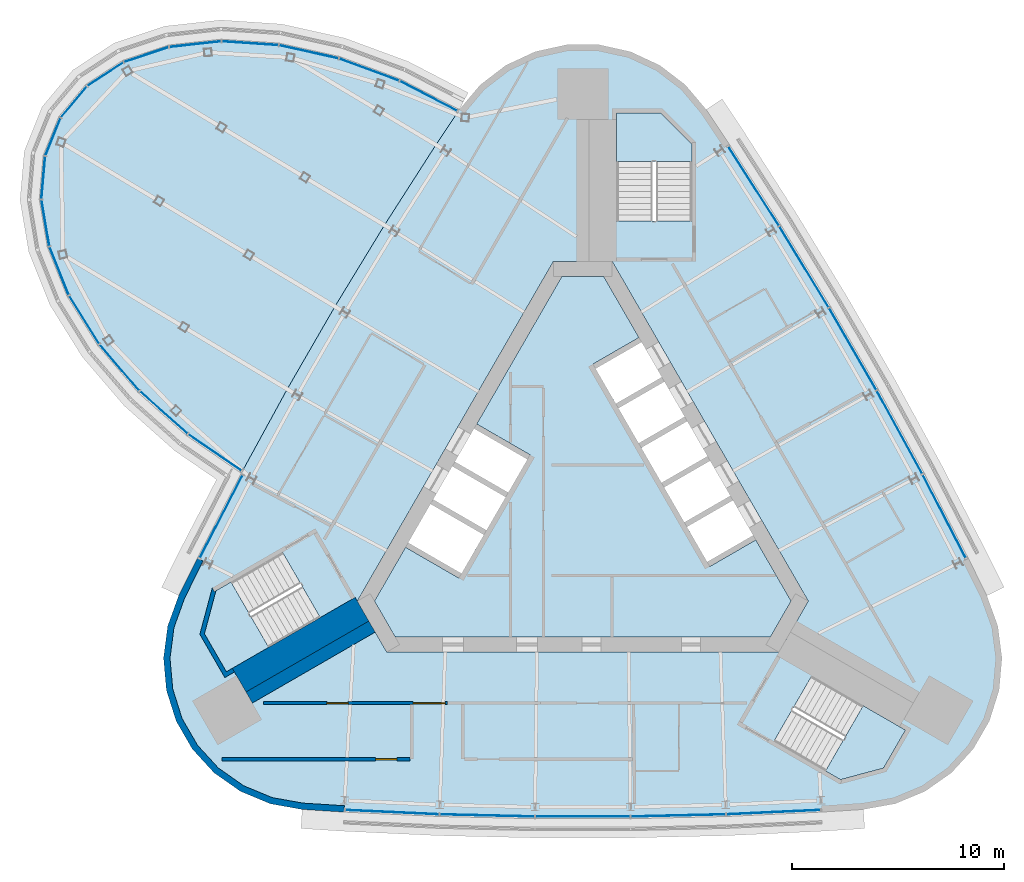
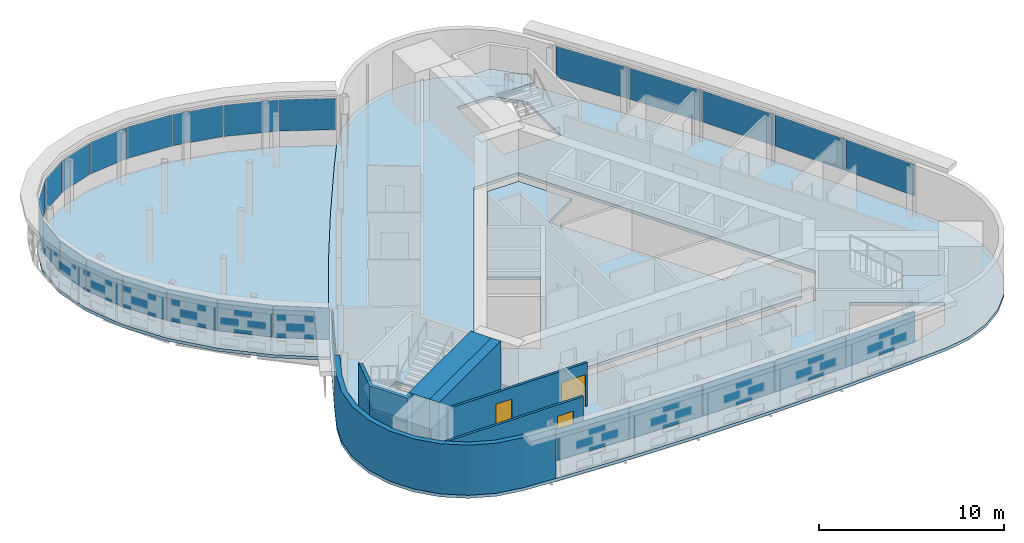
# One storey, part 8 of 13: 27 plates, 6 slabs, 6 walls, 3 doors, 3 openings, 7 elements without a shape of their own.
"""IFC4 building model written with IfcOpenShell, lengths in metres."""

from ifc_helpers import new_model, si_unit, direction, frame, frame_2d, origin, origin_2d, place, context, subcontext, project, spatial, polyline, rectangle, outline, extrude, material, layer, layer_set, type_object, element, fill, aggregate, save


model = new_model("IFC4")

# Units and contexts
model_context = context("Model", 3, precision=1e-05, world=origin(), true_north=direction((0.0, 1.0)))
body_context = subcontext(model_context, "Body", "Model", "MODEL_VIEW")
ifc_project = project(units=[si_unit("LENGTHUNIT", "METRE"), si_unit("AREAUNIT", "SQUARE_METRE"), si_unit("VOLUMEUNIT", "CUBIC_METRE"), si_unit("PLANEANGLEUNIT", "RADIAN"), si_unit("MASSUNIT", "GRAM", prefix="KILO")], contexts=[model_context])

# Site, building, storey
site_placement = place(None, origin())
site = spatial("IfcSite", under=ifc_project, at=site_placement, CompositionType="ELEMENT")
building_placement = place(site_placement, origin())
building = spatial("IfcBuilding", under=site, at=building_placement, Name="Noor Cloister Tower", CompositionType="ELEMENT")
storey_placement = place(building_placement, frame((0.0, 0.0, 267.0)))
storey = spatial("IfcBuildingStorey", under=building, at=storey_placement, Name="L68", CompositionType="ELEMENT", Elevation=267.0)

# Slabs
ifc_material_1 = material(Name="Concrete C40/50", Category="concrete")
ifc_layer_1 = layer(ifc_material_1, 0.199951171875)
ifc_layer_set_1 = layer_set([ifc_layer_1], Name="Core floor slab 200 C40/50")
slab_type_1 = type_object("IfcSlabType", Name="Core floor slab 200 C40/50", PredefinedType="FLOOR", material=ifc_layer_set_1)
slab_1_placement = place(storey_placement, frame((0.0, 0.0, -0.199951171875)))
element("IfcSlab", 1, at=slab_1_placement, inside=storey, type_object=slab_type_1, Name="Core floor L68", PredefinedType="FLOOR", context=body_context, shape_type="SweptSolid", body=[
    extrude(outline(polyline([(2.643798828125, 7.877197265625), (0.9814453125, 10.75634765625), (-0.9814453125, 10.75634765625), (-4.993896484375, 3.806884765625), (-2.482421875, 2.35693359375), (-5.832275390625, -3.4453125), (-8.34375, -1.995361328125), (-9.80615234375, -4.5283203125), (-8.82470703125, -6.228271484375), (8.82470703125, -6.228271484375), (9.80615234375, -4.5283203125), (8.143798828125, -1.64892578125), (5.978759765625, -2.89892578125), (0.478759765625, 6.627197265625), (2.643798828125, 7.877197265625)])), origin(), (0.0, 0.0, 1.0), 0.199951171875),
])
ifc_material_2 = material(Name="Concrete C40/50", Category="concrete")
ifc_layer_2 = layer(ifc_material_2, 0.199951171875)
ifc_layer_set_2 = layer_set([ifc_layer_2], Name="Floor slab 200 C40/50")
slab_type_2 = type_object("IfcSlabType", Name="Floor slab 200 C40/50", PredefinedType="FLOOR", material=ifc_layer_set_2)
slab_2_placement = place(storey_placement, frame((0.0, 0.0, -0.199951171875)))
element("IfcSlab", 2, at=slab_2_placement, inside=storey, type_object=slab_type_2, Name="Floor slab L68", PredefinedType="FLOOR", context=body_context, shape_type="SweptSolid", body=[
    extrude(outline(polyline([(5.809814453125, 18.609619140625), (4.830078125, 19.771484375), (3.62255859375, 20.69482421875), (2.244140625, 21.33544921875), (0.760009765625, 21.66357421875), (-0.760009765625, 21.66357421875), (-2.244140625, 21.33544921875), (-3.62255859375, 20.69482421875), (-4.830078125, 19.771484375), (-5.809814453125, 18.609619140625), (-6.9013671875, 16.967529296875), (-9.32958984375, 13.178955078125), (-11.669189453125, 9.335205078125), (-13.919189453125, 5.438232421875), (-16.078125, 1.489990234375), (-18.14501953125, -2.507080078125), (-19.021240234375, -4.2734375), (-19.53759765625, -5.702880859375), (-19.7333984375, -7.210205078125), (-19.59912109375, -8.724365234375), (-19.14111328125, -10.173583984375), (-18.381103515625, -11.489990234375), (-17.35498046875, -12.611083984375), (-16.11083984375, -13.484619140625), (-14.707763671875, -14.068603515625), (-13.21142578125, -14.336181640625), (-11.24365234375, -14.46044921875), (-6.74853515625, -14.669189453125), (-2.25, -14.7734375), (2.25, -14.7734375), (6.74853515625, -14.669189453125), (11.24365234375, -14.46044921875), (13.21142578125, -14.336181640625), (14.707763671875, -14.068603515625), (16.11083984375, -13.484619140625), (17.35498046875, -12.611083984375), (18.381103515625, -11.489990234375), (19.14111328125, -10.173583984375), (19.59912109375, -8.724365234375), (19.7333984375, -7.210205078125), (19.53759765625, -5.702880859375), (19.021240234375, -4.2734375), (18.14501953125, -2.507080078125), (16.078125, 1.489990234375), (13.919189453125, 5.438232421875), (11.669189453125, 9.335205078125), (9.32958984375, 13.178955078125), (6.9013671875, 16.967529296875), (5.809814453125, 18.609619140625)]), holes=[polyline([(8.999755859375, -11.126220703125), (12.131591796875, -12.934326171875), (14.1572265625, -12.3916015625), (15.19091796875, -10.601318359375), (10.774658203125, -8.0517578125), (8.999755859375, -11.126220703125)]), polyline([(-17.81005859375, -6.064697265625), (-16.776611328125, -7.85498046875), (-12.3603515625, -5.305419921875), (-14.13525390625, -2.23095703125), (-16.662841796875, -3.690185546875), (-17.267333984375, -4.039306640625), (-17.81005859375, -6.064697265625)]), polyline([(-10.6142578125, -4.5283203125), (-9.228759765625, -6.92822265625), (9.228759765625, -6.92822265625), (10.6142578125, -4.5283203125), (1.3857421875, 11.456298828125), (-1.3857421875, 11.456298828125), (-10.6142578125, -4.5283203125)]), polyline([(3.65283203125, 18.456298828125), (1.585693359375, 18.456298828125), (1.585693359375, 13.35693359375), (5.135498046875, 13.35693359375), (5.135498046875, 16.9736328125), (3.65283203125, 18.456298828125)])]), origin(), (0.0, 0.0, 1.0), 0.199951171875),
])

# Curtain wall, plate
ifc_material_3 = material(Name="Aluminium 6063-T6 anodised", Category="aluminium")
curtain_wall_type_1 = type_object("IfcCurtainWallType", Name="Ribbon curtain wall, upper tower CW5", PredefinedType="NOTDEFINED", material=ifc_material_3)
curtain_wall_1_placement = place(storey_placement, origin())
curtain_wall_1 = element("IfcCurtainWall", 3, at=curtain_wall_1_placement, inside=storey, type_object=curtain_wall_type_1, Name="CW5 L68 NW run 2", PredefinedType="NOTDEFINED")
ifc_material_4 = material(Name="Clear laminated glass 2 x 8 mm", Category="glass")
ifc_layer_3 = layer(ifc_material_4, 0.028076171875)
ifc_layer_set_3 = layer_set([ifc_layer_3], Name="Glass panel CW5")
plate_type_1 = type_object("IfcPlateType", Name="Glass panel CW5", PredefinedType="CURTAIN_PANEL", material=ifc_layer_set_3)
plate_1_placement = place(storey_placement, frame((-17.022705078125, -0.554443359375, 1.08984375), z_axis=(0.0, 0.0, 1.0), x_axis=(-0.459306247842, -0.888277980529, 0.0)))
plate_1 = element("IfcPlate", 4, at=plate_1_placement, type_object=plate_type_1, Name="CW5 glass panel 1", PredefinedType="CURTAIN_PANEL", context=body_context, shape_type="SweptSolid", body=[
    extrude(rectangle(XDim=4.3798828125, YDim=0.028076171875, at=origin_2d()), origin(), (0.0, 0.0, 1.0), 2.070068359375),
])
aggregate(curtain_wall_1, [plate_1])

# Curtain wall, plates
curtain_wall_2_placement = place(storey_placement, origin())
curtain_wall_2 = element("IfcCurtainWall", 5, at=curtain_wall_2_placement, inside=storey, type_object=curtain_wall_type_1, Name="CW5 L68 S run 3", PredefinedType="NOTDEFINED")
plate_2_placement = place(storey_placement, frame((-8.974609375, -14.465576171875, 1.08984375), z_axis=(0.0, 0.0, 1.0), x_axis=(0.998924420682, -0.046368111516, 0.0)))
plate_2 = element("IfcPlate", 6, at=plate_2_placement, type_object=plate_type_1, Name="CW5 glass panel 1", PredefinedType="CURTAIN_PANEL", context=body_context, shape_type="SweptSolid", body=[
    extrude(rectangle(XDim=4.413818359375, YDim=0.028076171875, at=origin_2d()), origin(), (0.0, 0.0, 1.0), 2.070068359375),
])
plate_3_placement = place(storey_placement, frame((-4.4970703125, -14.621337890625, 1.08984375), z_axis=(0.0, 0.0, 1.0), x_axis=(0.999731069009, -0.023190292346, 0.0)))
plate_3 = element("IfcPlate", 7, at=plate_3_placement, type_object=plate_type_1, Name="CW5 glass panel 2", PredefinedType="CURTAIN_PANEL", context=body_context, shape_type="SweptSolid", body=[
    extrude(rectangle(XDim=4.447509765625, YDim=0.028076171875, at=origin_2d()), origin(), (0.0, 0.0, 1.0), 2.070068359375),
])
plate_4_placement = place(storey_placement, frame((0.0, -14.673583984375, 1.08984375), z_axis=(0.0, 0.0, 1.0), x_axis=(1.0, 0.0, 0.0)))
plate_4 = element("IfcPlate", 8, at=plate_4_placement, type_object=plate_type_1, Name="CW5 glass panel 3", PredefinedType="CURTAIN_PANEL", context=body_context, shape_type="SweptSolid", body=[
    extrude(rectangle(XDim=4.447509765625, YDim=0.028076171875, at=origin_2d()), origin(), (0.0, 0.0, 1.0), 2.070068359375),
])
plate_5_placement = place(storey_placement, frame((4.4970703125, -14.621337890625, 1.08984375), z_axis=(0.0, 0.0, 1.0), x_axis=(0.999731069009, 0.023190292346, 0.0)))
plate_5 = element("IfcPlate", 9, at=plate_5_placement, type_object=plate_type_1, Name="CW5 glass panel 4", PredefinedType="CURTAIN_PANEL", context=body_context, shape_type="SweptSolid", body=[
    extrude(rectangle(XDim=4.447509765625, YDim=0.028076171875, at=origin_2d()), origin(), (0.0, 0.0, 1.0), 2.070068359375),
])
plate_6_placement = place(storey_placement, frame((8.974609375, -14.465576171875, 1.08984375), z_axis=(0.0, 0.0, 1.0), x_axis=(0.998924420682, 0.046368111516, 0.0)))
plate_6 = element("IfcPlate", 10, at=plate_6_placement, type_object=plate_type_1, Name="CW5 glass panel 5", PredefinedType="CURTAIN_PANEL", context=body_context, shape_type="SweptSolid", body=[
    extrude(rectangle(XDim=4.413818359375, YDim=0.028076171875, at=origin_2d()), origin(), (0.0, 0.0, 1.0), 2.070068359375),
])
aggregate(curtain_wall_2, [plate_2, plate_3, plate_4, plate_5, plate_6])

curtain_wall_3_placement = place(storey_placement, origin())
curtain_wall_3 = element("IfcCurtainWall", 11, at=curtain_wall_3_placement, inside=storey, type_object=curtain_wall_type_1, Name="CW5 L68 NE run 4", PredefinedType="NOTDEFINED")
plate_7_placement = place(storey_placement, frame((17.014892578125, -0.539306640625, 1.08984375), z_axis=(0.0, 0.0, 1.0), x_axis=(-0.459306247842, 0.888277980529, 0.0)))
plate_7 = element("IfcPlate", 12, at=plate_7_placement, type_object=plate_type_1, Name="CW5 glass panel 1", PredefinedType="CURTAIN_PANEL", context=body_context, shape_type="SweptSolid", body=[
    extrude(rectangle(XDim=4.413818359375, YDim=0.028076171875, at=origin_2d()), origin(), (0.0, 0.0, 1.0), 2.070068359375),
])
plate_8_placement = place(storey_placement, frame((14.910888671875, 3.416259765625, 1.08984375), z_axis=(0.0, 0.0, 1.0), x_axis=(-0.479782152211, 0.877387648887, 0.0)))
plate_8 = element("IfcPlate", 13, at=plate_8_placement, type_object=plate_type_1, Name="CW5 glass panel 2", PredefinedType="CURTAIN_PANEL", context=body_context, shape_type="SweptSolid", body=[
    extrude(rectangle(XDim=4.447509765625, YDim=0.028076171875, at=origin_2d()), origin(), (0.0, 0.0, 1.0), 2.070068359375),
])
plate_9_placement = place(storey_placement, frame((12.70751953125, 7.336669921875, 1.08984375), z_axis=(0.0, 0.0, 1.0), x_axis=(-0.5, 0.866025403784, 0.0)))
plate_9 = element("IfcPlate", 14, at=plate_9_placement, type_object=plate_type_1, Name="CW5 glass panel 3", PredefinedType="CURTAIN_PANEL", context=body_context, shape_type="SweptSolid", body=[
    extrude(rectangle(XDim=4.447509765625, YDim=0.028076171875, at=origin_2d()), origin(), (0.0, 0.0, 1.0), 2.070068359375),
])
plate_10_placement = place(storey_placement, frame((10.4140625, 11.205078125, 1.08984375), z_axis=(0.0, 0.0, 1.0), x_axis=(-0.519948916797, 0.854197356541, 0.0)))
plate_10 = element("IfcPlate", 15, at=plate_10_placement, type_object=plate_type_1, Name="CW5 glass panel 4", PredefinedType="CURTAIN_PANEL", context=body_context, shape_type="SweptSolid", body=[
    extrude(rectangle(XDim=4.447509765625, YDim=0.028076171875, at=origin_2d()), origin(), (0.0, 0.0, 1.0), 2.070068359375),
])
plate_11_placement = place(storey_placement, frame((8.040283203125, 15.005126953125, 1.08984375), z_axis=(0.0, 0.0, 1.0), x_axis=(-0.539618172839, 0.841909869013, 0.0)))
plate_11 = element("IfcPlate", 16, at=plate_11_placement, type_object=plate_type_1, Name="CW5 glass panel 5", PredefinedType="CURTAIN_PANEL", context=body_context, shape_type="SweptSolid", body=[
    extrude(rectangle(XDim=4.413818359375, YDim=0.028076171875, at=origin_2d()), origin(), (0.0, 0.0, 1.0), 2.070068359375),
])
aggregate(curtain_wall_3, [plate_7, plate_8, plate_9, plate_10, plate_11])

ifc_material_5 = material(Name="Aluminium 6063-T6 anodised", Category="aluminium")
curtain_wall_type_2 = type_object("IfcCurtainWallType", Name="Sky bar curtain wall, upper bars CW6", PredefinedType="NOTDEFINED", material=ifc_material_5)
curtain_wall_4_placement = place(storey_placement, origin())
curtain_wall_4 = element("IfcCurtainWall", 17, at=curtain_wall_4_placement, inside=storey, type_object=curtain_wall_type_2, Name="CW6 L68 NW sky bar run 1", PredefinedType="NOTDEFINED")
ifc_material_6 = material(Name="Clear laminated glass 2 x 8 mm", Category="glass")
ifc_layer_4 = layer(ifc_material_6, 0.028076171875)
ifc_layer_set_4 = layer_set([ifc_layer_4], Name="Glass panel CW6")
plate_type_2 = type_object("IfcPlateType", Name="Glass panel CW6", PredefinedType="CURTAIN_PANEL", material=ifc_layer_set_4)
plate_12_placement = place(storey_placement, frame((-7.25634765625, 19.248046875, 1.08984375), z_axis=(0.0, 0.0, 1.0), x_axis=(-0.887497668843, 0.46081220448, 0.0)))
plate_12 = element("IfcPlate", 18, at=plate_12_placement, type_object=plate_type_2, Name="CW6 glass panel 1", PredefinedType="CURTAIN_PANEL", context=body_context, shape_type="SweptSolid", body=[
    extrude(rectangle(XDim=3.035888671875, YDim=0.028076171875, at=origin_2d()), origin(), (0.0, 0.0, 1.0), 2.070068359375),
])
plate_13_placement = place(storey_placement, frame((-10.052734375, 20.485107421875, 1.08984375), z_axis=(0.0, 0.0, 1.0), x_axis=(-0.938254127528, 0.345946805414, 0.0)))
plate_13 = element("IfcPlate", 19, at=plate_13_placement, type_object=plate_type_2, Name="CW6 glass panel 2", PredefinedType="CURTAIN_PANEL", context=body_context, shape_type="SweptSolid", body=[
    extrude(rectangle(XDim=2.991455078125, YDim=0.028076171875, at=origin_2d()), origin(), (0.0, 0.0, 1.0), 2.070068359375),
])
plate_14_placement = place(storey_placement, frame((-12.89599609375, 21.32568359375, 1.08984375), z_axis=(0.0, 0.0, 1.0), x_axis=(-0.976240868082, 0.21668818031, 0.0)))
plate_14 = element("IfcPlate", 20, at=plate_14_placement, type_object=plate_type_2, Name="CW6 glass panel 3", PredefinedType="CURTAIN_PANEL", context=body_context, shape_type="SweptSolid", body=[
    extrude(rectangle(XDim=2.851318359375, YDim=0.028076171875, at=origin_2d()), origin(), (0.0, 0.0, 1.0), 2.070068359375),
])
plate_15_placement = place(storey_placement, frame((-15.6630859375, 21.730712890625, 1.08984375), z_axis=(0.0, 0.0, 1.0), x_axis=(-0.997749888553, 0.067045953586, 0.0)))
plate_15 = element("IfcPlate", 21, at=plate_15_placement, type_object=plate_type_2, Name="CW6 glass panel 4", PredefinedType="CURTAIN_PANEL", context=body_context, shape_type="SweptSolid", body=[
    extrude(rectangle(XDim=2.6572265625, YDim=0.028076171875, at=origin_2d()), origin(), (0.0, 0.0, 1.0), 2.070068359375),
])
plate_16_placement = place(storey_placement, frame((-18.24609375, 21.685791015625, 1.08984375), z_axis=(0.0, 0.0, 1.0), x_axis=(-0.993990018524, -0.109470740724, 0.0)))
plate_16 = element("IfcPlate", 22, at=plate_16_placement, type_object=plate_type_2, Name="CW6 glass panel 5", PredefinedType="CURTAIN_PANEL", context=body_context, shape_type="SweptSolid", body=[
    extrude(rectangle(XDim=2.4296875, YDim=0.028076171875, at=origin_2d()), origin(), (0.0, 0.0, 1.0), 2.070068359375),
])
plate_17_placement = place(storey_placement, frame((-20.545166015625, 21.194091796875, 1.08984375), z_axis=(0.0, 0.0, 1.0), x_axis=(-0.948576733439, -0.316547280479, 0.0)))
plate_17 = element("IfcPlate", 23, at=plate_17_placement, type_object=plate_type_2, Name="CW6 glass panel 6", PredefinedType="CURTAIN_PANEL", context=body_context, shape_type="SweptSolid", body=[
    extrude(rectangle(XDim=2.198486328125, YDim=0.028076171875, at=origin_2d()), origin(), (0.0, 0.0, 1.0), 2.070068359375),
])
plate_18_placement = place(storey_placement, frame((-22.47216796875, 20.277099609375, 1.08984375), z_axis=(0.0, 0.0, 1.0), x_axis=(-0.837596619091, -0.546289212493, 0.0)))
plate_18 = element("IfcPlate", 24, at=plate_18_placement, type_object=plate_type_2, Name="CW6 glass panel 7", PredefinedType="CURTAIN_PANEL", context=body_context, shape_type="SweptSolid", body=[
    extrude(rectangle(XDim=2.003662109375, YDim=0.028076171875, at=origin_2d()), origin(), (0.0, 0.0, 1.0), 2.070068359375),
])
plate_19_placement = place(storey_placement, frame((-23.955322265625, 18.971923828125, 1.08984375), z_axis=(0.0, 0.0, 1.0), x_axis=(-0.641814933059, -0.766859564524, 0.0)))
plate_19 = element("IfcPlate", 25, at=plate_19_placement, type_object=plate_type_2, Name="CW6 glass panel 8", PredefinedType="CURTAIN_PANEL", context=body_context, shape_type="SweptSolid", body=[
    extrude(rectangle(XDim=1.889892578125, YDim=0.028076171875, at=origin_2d()), origin(), (0.0, 0.0, 1.0), 2.070068359375),
])
plate_20_placement = place(storey_placement, frame((-24.94140625, 17.327880859375, 1.08984375), z_axis=(0.0, 0.0, 1.0), x_axis=(-0.374343937859, -0.927289931029, 0.0)))
plate_20 = element("IfcPlate", 26, at=plate_20_placement, type_object=plate_type_2, Name="CW6 glass panel 9", PredefinedType="CURTAIN_PANEL", context=body_context, shape_type="SweptSolid", body=[
    extrude(rectangle(XDim=1.889892578125, YDim=0.028076171875, at=origin_2d()), origin(), (0.0, 0.0, 1.0), 2.070068359375),
])
plate_21_placement = place(storey_placement, frame((-25.394775390625, 15.40478515625, 1.08984375), z_axis=(0.0, 0.0, 1.0), x_axis=(-0.087570690392, -0.996158307793, 0.0)))
plate_21 = element("IfcPlate", 27, at=plate_21_placement, type_object=plate_type_2, Name="CW6 glass panel 10", PredefinedType="CURTAIN_PANEL", context=body_context, shape_type="SweptSolid", body=[
    extrude(rectangle(XDim=2.003662109375, YDim=0.028076171875, at=origin_2d()), origin(), (0.0, 0.0, 1.0), 2.070068359375),
])
plate_22_placement = place(storey_placement, frame((-25.29638671875, 13.27294921875, 1.08984375), z_axis=(0.0, 0.0, 1.0), x_axis=(0.167365795308, -0.985894867905, 0.0)))
plate_22 = element("IfcPlate", 28, at=plate_22_placement, type_object=plate_type_2, Name="CW6 glass panel 11", PredefinedType="CURTAIN_PANEL", context=body_context, shape_type="SweptSolid", body=[
    extrude(rectangle(XDim=2.198486328125, YDim=0.028076171875, at=origin_2d()), origin(), (0.0, 0.0, 1.0), 2.070068359375),
])
plate_23_placement = place(storey_placement, frame((-24.647705078125, 11.01318359375, 1.08984375), z_axis=(0.0, 0.0, 1.0), x_axis=(0.371434842815, -0.928459023082, 0.0)))
plate_23 = element("IfcPlate", 29, at=plate_23_placement, type_object=plate_type_2, Name="CW6 glass panel 12", PredefinedType="CURTAIN_PANEL", context=body_context, shape_type="SweptSolid", body=[
    extrude(rectangle(XDim=2.4296875, YDim=0.028076171875, at=origin_2d()), origin(), (0.0, 0.0, 1.0), 2.070068359375),
])
plate_24_placement = place(storey_placement, frame((-23.470947265625, 8.713134765625, 1.08984375), z_axis=(0.0, 0.0, 1.0), x_axis=(0.528931307752, -0.848664640291, 0.0)))
plate_24 = element("IfcPlate", 30, at=plate_24_placement, type_object=plate_type_2, Name="CW6 glass panel 13", PredefinedType="CURTAIN_PANEL", context=body_context, shape_type="SweptSolid", body=[
    extrude(rectangle(XDim=2.6572265625, YDim=0.028076171875, at=origin_2d()), origin(), (0.0, 0.0, 1.0), 2.070068359375),
])
plate_25_placement = place(storey_placement, frame((-21.810791015625, 6.462890625, 1.08984375), z_axis=(0.0, 0.0, 1.0), x_axis=(0.650820994829, -0.759231211615, 0.0)))
plate_25 = element("IfcPlate", 31, at=plate_25_placement, type_object=plate_type_2, Name="CW6 glass panel 14", PredefinedType="CURTAIN_PANEL", context=body_context, shape_type="SweptSolid", body=[
    extrude(rectangle(XDim=2.851318359375, YDim=0.028076171875, at=origin_2d()), origin(), (0.0, 0.0, 1.0), 2.070068359375),
])
plate_26_placement = place(storey_placement, frame((-19.730712890625, 4.35009765625, 1.08984375), z_axis=(0.0, 0.0, 1.0), x_axis=(0.746969510191, -0.664858293808, 0.0)))
plate_26 = element("IfcPlate", 32, at=plate_26_placement, type_object=plate_type_2, Name="CW6 glass panel 15", PredefinedType="CURTAIN_PANEL", context=body_context, shape_type="SweptSolid", body=[
    extrude(rectangle(XDim=2.991455078125, YDim=0.028076171875, at=origin_2d()), origin(), (0.0, 0.0, 1.0), 2.070068359375),
])
plate_27_placement = place(storey_placement, frame((-17.322509765625, 2.465576171875, 1.08984375), z_axis=(0.0, 0.0, 1.0), x_axis=(0.824407561067, -0.565996619473, 0.0)))
plate_27 = element("IfcPlate", 33, at=plate_27_placement, type_object=plate_type_2, Name="CW6 glass panel 16", PredefinedType="CURTAIN_PANEL", context=body_context, shape_type="SweptSolid", body=[
    extrude(rectangle(XDim=3.035888671875, YDim=0.028076171875, at=origin_2d()), origin(), (0.0, 0.0, 1.0), 2.070068359375),
])
aggregate(curtain_wall_4, [plate_12, plate_13, plate_14, plate_15, plate_16, plate_17, plate_18, plate_19, plate_20, plate_21, plate_22, plate_23, plate_24, plate_25, plate_26, plate_27])

# Slab
ifc_material_7 = material(Name="Concrete C40/50", Category="concrete")
ifc_layer_5 = layer(ifc_material_7, 0.199951171875)
ifc_layer_set_5 = layer_set([ifc_layer_5], Name="Pod floor slab 200")
slab_type_3 = type_object("IfcSlabType", Name="Pod floor slab 200", PredefinedType="FLOOR", material=ifc_layer_set_5)
slab_3_placement = place(storey_placement, frame((0.0, 0.0, -0.199951171875)))
element("IfcSlab", 34, at=slab_3_placement, inside=storey, type_object=slab_type_3, Name="Pod floor slab L68", PredefinedType="FLOOR", context=body_context, shape_type="SweptSolid", body=[
    extrude(outline(polyline([(-5.809814453125, 18.609619140625), (-8.585205078125, 20.05078125), (-11.451416015625, 21.107421875), (-14.298095703125, 21.7392578125), (-17.015869140625, 21.921875), (-19.500244140625, 21.6484375), (-21.65576171875, 20.928955078125), (-23.399658203125, 19.79150390625), (-24.6650390625, 18.27978515625), (-25.403076171875, 16.45166015625), (-25.58544921875, 14.377685546875), (-25.205078125, 12.13720703125), (-24.276611328125, 9.816650390625), (-22.8359375, 7.5048828125), (-20.938232421875, 5.291015625), (-18.65625, 3.260009765625), (-16.078125, 1.489990234375), (-13.919189453125, 5.438232421875), (-11.669189453125, 9.335205078125), (-9.32958984375, 13.178955078125), (-6.9013671875, 16.967529296875), (-5.809814453125, 18.609619140625)])), origin(), (0.0, 0.0, 1.0), 0.199951171875),
])

# Stair, slab
ifc_material_8 = material(Name="Concrete C40/50", Category="concrete")
stair_type = type_object("IfcStairType", Name="Exit stair 22 risers", PredefinedType="HALF_TURN_STAIR", material=ifc_material_8)
stair_1_placement = place(storey_placement, origin())
stair_1 = element("IfcStair", 35, at=stair_1_placement, inside=storey, type_object=stair_type, Name="Exit stair ST1 L68", PredefinedType="HALF_TURN_STAIR")
ifc_material_9 = material(Name="Concrete C40/50", Category="concrete")
ifc_layer_6 = layer(ifc_material_9, 0.199951171875)
ifc_layer_set_6 = layer_set([ifc_layer_6], Name="Stair landing 200 C40/50")
slab_type_4 = type_object("IfcSlabType", Name="Stair landing 200 C40/50", PredefinedType="LANDING", material=ifc_layer_set_6)
slab_4_placement = place(storey_placement, frame((0.0, 0.0, 1.60009765625)))
slab_4 = element("IfcSlab", 36, at=slab_4_placement, type_object=slab_type_4, Name="ST1 landing 1", PredefinedType="LANDING", context=body_context, shape_type="SweptSolid", body=[
    extrude(outline(polyline([(5.135498046875, 16.15576171875), (5.135498046875, 16.9736328125), (3.65283203125, 18.456298828125), (1.585693359375, 18.456298828125), (1.585693359375, 16.15576171875), (5.135498046875, 16.15576171875)])), origin(), (0.0, 0.0, 1.0), 0.199951171875),
])
aggregate(stair_1, [slab_4])

stair_2_placement = place(storey_placement, origin())
stair_2 = element("IfcStair", 37, at=stair_2_placement, inside=storey, type_object=stair_type, Name="Exit stair ST2 L68", PredefinedType="HALF_TURN_STAIR")
slab_5_placement = place(storey_placement, frame((0.0, 0.0, 1.60009765625)))
slab_5 = element("IfcSlab", 38, at=slab_5_placement, type_object=slab_type_4, Name="ST2 landing 1", PredefinedType="LANDING", context=body_context, shape_type="SweptSolid", body=[
    extrude(outline(polyline([(-16.55908203125, -3.63037109375), (-17.267333984375, -4.039306640625), (-17.81005859375, -6.064697265625), (-16.776611328125, -7.85498046875), (-14.7841796875, -6.70458984375), (-16.55908203125, -3.63037109375)])), origin(), (0.0, 0.0, 1.0), 0.199951171875),
])
aggregate(stair_2, [slab_5])

stair_3_placement = place(storey_placement, origin())
stair_3 = element("IfcStair", 39, at=stair_3_placement, inside=storey, type_object=stair_type, Name="Exit stair ST3 L68", PredefinedType="HALF_TURN_STAIR")
slab_6_placement = place(storey_placement, frame((0.0, 0.0, 1.60009765625)))
slab_6 = element("IfcSlab", 40, at=slab_6_placement, type_object=slab_type_4, Name="ST3 landing 1", PredefinedType="LANDING", context=body_context, shape_type="SweptSolid", body=[
    extrude(outline(polyline([(11.423583984375, -12.525390625), (12.131591796875, -12.934326171875), (14.1572265625, -12.3916015625), (15.19091796875, -10.601318359375), (13.198486328125, -9.451171875), (11.423583984375, -12.525390625)])), origin(), (0.0, 0.0, 1.0), 0.199951171875),
])
aggregate(stair_3, [slab_6])

# Wall
ifc_material_10 = material(Name="Concrete C60/75", Category="concrete")
ifc_layer_7 = layer(ifc_material_10, 0.60009765625)
ifc_layer_set_7 = layer_set([ifc_layer_7], Name="Buttress wall 600 C60/75")
wall_type_1 = type_object("IfcWallType", Name="Buttress wall 600 C60/75", PredefinedType="SHEAR", material=ifc_layer_set_7)
wall_1_placement = place(storey_placement, frame((-9.921630859375, -5.728271484375, -0.199951171875), z_axis=(0.0, 0.0, 1.0), x_axis=(-0.866032176823, -0.499988268569, 0.0)))
element("IfcWall", 41, at=wall_1_placement, inside=storey, type_object=wall_type_1, Name="Buttress wall SW L68", PredefinedType="SHEAR", context=body_context, shape_type="SweptSolid", body=[
    extrude(rectangle(XDim=6.678466796875, YDim=0.60009765625, at=frame_2d((3.33935546875, 0.0))), origin(), (0.0, 0.0, 1.0), 3.599853515625),
])

# Wall, openings, doors
ifc_material_11 = material(Name="Gypsum board partition on steel studs, 150 mm", Category="steel")
ifc_layer_8 = layer(ifc_material_11, 0.14990234375)
ifc_layer_set_8 = layer_set([ifc_layer_8], Name="Flat wall 150")
wall_type_2 = type_object("IfcWallType", Name="Flat wall 150", PredefinedType="PARTITIONING", material=ifc_layer_set_8)
wall_2_placement = place(storey_placement, frame((-15.03515625, -9.328125, 0.0), z_axis=(0.0, 0.0, 1.0), x_axis=(1.0, 0.0, 0.0)))
wall_2 = element("IfcWall", 42, at=wall_2_placement, inside=storey, type_object=wall_type_2, Name="Wall L68-W11", PredefinedType="PARTITIONING", context=body_context, shape_type="SweptSolid", body=[
    extrude(rectangle(XDim=8.672607421875, YDim=0.14990234375, at=frame_2d((4.33642578125, 0.0))), origin(), (0.0, 0.0, 1.0), 2.85205078125),
])
opening_1_placement = place(wall_2_placement, frame((7.051513671875, 0.0, 0.0)))
opening_1 = element("IfcOpeningElement", 43, at=opening_1_placement, cuts=wall_2, Name="Opening L68-007", PredefinedType="OPENING", context=body_context, shape_type="SweptSolid", body=[
    extrude(rectangle(XDim=1.5, YDim=2.10009765625, at=frame_2d((0.75, 1.050048828125))), frame((0.0, 0.0849609375, 0.0), z_axis=(0.0, -1.0, 0.0), x_axis=(1.0, 0.0, 0.0)), (0.0, 0.0, 1.0), 0.169921875),
])
opening_2_placement = place(wall_2_placement, frame((2.990234375, 0.0, 0.0)))
opening_2 = element("IfcOpeningElement", 44, at=opening_2_placement, cuts=wall_2, Name="Opening L68-009", PredefinedType="OPENING", context=body_context, shape_type="SweptSolid", body=[
    extrude(rectangle(XDim=1.0, YDim=2.10009765625, at=frame_2d((0.5, 1.050048828125))), frame((0.0, 0.0849609375, 0.0), z_axis=(0.0, -1.0, 0.0), x_axis=(1.0, 0.0, 0.0)), (0.0, 0.0, 1.0), 0.169921875),
])
ifc_material_12 = material(Name="Timber door leaf with steel frame", Category="steel")
door_type_1 = type_object("IfcDoorType", Name="Double door 1500 FD60", OperationType="NOTDEFINED", PredefinedType="DOOR", material=ifc_material_12)
door_1_placement = place(opening_1_placement, origin())
door_1 = element("IfcDoor", 45, at=door_1_placement, inside=storey, type_object=door_type_1, Name="Door L68-007", OperationType="DOUBLE_DOOR_SINGLE_SWING", OverallHeight=2.10009765625, OverallWidth=1.5, PredefinedType="DOOR", context=body_context, shape_type="SweptSolid", body=[
    extrude(rectangle(XDim=1.5, YDim=2.10009765625, at=frame_2d((0.75, 1.050048828125))), frame((0.0, 0.02490234375, 0.0), z_axis=(0.0, -1.0, 0.0), x_axis=(1.0, 0.0, 0.0)), (0.0, 0.0, 1.0), 0.050048828125),
])
fill(opening_1, door_1)
ifc_material_13 = material(Name="Timber door leaf with steel frame", Category="steel")
door_type_2 = type_object("IfcDoorType", Name="Interior door 1000 FD60", OperationType="NOTDEFINED", PredefinedType="DOOR", material=ifc_material_13)
door_2_placement = place(opening_2_placement, origin())
door_2 = element("IfcDoor", 46, at=door_2_placement, inside=storey, type_object=door_type_2, Name="Door L68-009", OperationType="SINGLE_SWING_LEFT", OverallHeight=2.10009765625, OverallWidth=1.0, PredefinedType="DOOR", context=body_context, shape_type="SweptSolid", body=[
    extrude(rectangle(XDim=1.0, YDim=2.10009765625, at=frame_2d((0.5, 1.050048828125))), frame((0.0, 0.02490234375, 0.0), z_axis=(0.0, -1.0, 0.0), x_axis=(1.0, 0.0, 0.0)), (0.0, 0.0, 1.0), 0.050048828125),
])
fill(opening_2, door_2)

# Wall, opening, door
wall_3_placement = place(storey_placement, frame((-16.990966796875, -11.97216796875, 0.0), z_axis=(0.0, 0.0, 1.0), x_axis=(1.0, 0.0, 0.0)))
wall_3 = element("IfcWall", 47, at=wall_3_placement, inside=storey, type_object=wall_type_2, Name="Wall L68-W17", PredefinedType="PARTITIONING", context=body_context, shape_type="SweptSolid", body=[
    extrude(rectangle(XDim=8.861083984375, YDim=0.14990234375, at=frame_2d((4.4306640625, 0.0))), origin(), (0.0, 0.0, 1.0), 2.85205078125),
])
opening_3_placement = place(wall_3_placement, frame((7.236083984375, 0.0, 0.0)))
opening_3 = element("IfcOpeningElement", 48, at=opening_3_placement, cuts=wall_3, Name="Opening L68-008", PredefinedType="OPENING", context=body_context, shape_type="SweptSolid", body=[
    extrude(rectangle(XDim=1.0, YDim=2.10009765625, at=frame_2d((0.5, 1.050048828125))), frame((0.0, 0.0849609375, 0.0), z_axis=(0.0, -1.0, 0.0), x_axis=(1.0, 0.0, 0.0)), (0.0, 0.0, 1.0), 0.169921875),
])
door_3_placement = place(opening_3_placement, origin())
door_3 = element("IfcDoor", 49, at=door_3_placement, inside=storey, type_object=door_type_2, Name="Door L68-008", OperationType="SINGLE_SWING_RIGHT", OverallHeight=2.10009765625, OverallWidth=1.0, PredefinedType="DOOR", context=body_context, shape_type="SweptSolid", body=[
    extrude(rectangle(XDim=1.0, YDim=2.10009765625, at=frame_2d((0.5, 1.050048828125))), frame((0.0, 0.02490234375, 0.0), z_axis=(0.0, -1.0, 0.0), x_axis=(1.0, 0.0, 0.0)), (0.0, 0.0, 1.0), 0.050048828125),
])
fill(opening_3, door_3)

# Walls
ifc_material_14 = material(Name="Limestone", Category="masonry")
ifc_layer_9 = layer(ifc_material_14, 0.300048828125)
ifc_layer_set_9 = layer_set([ifc_layer_9], Name="Limestone cladding 300")
wall_type_3 = type_object("IfcWallType", Name="Limestone cladding 300", PredefinedType="NOTDEFINED", material=ifc_layer_set_9)
wall_4_placement = place(storey_placement, origin())
element("IfcWall", 50, at=wall_4_placement, inside=storey, type_object=wall_type_3, Name="Limestone pier cladding L68 1.1", PredefinedType="NOTDEFINED", context=body_context, shape_type="SweptSolid", body=[
    extrude(outline(polyline([(-18.14501953125, -2.507080078125), (-19.021240234375, -4.2734375), (-19.53759765625, -5.702880859375), (-19.7333984375, -7.210205078125), (-19.59912109375, -8.724365234375), (-19.14111328125, -10.173583984375), (-18.381103515625, -11.489990234375), (-17.35498046875, -12.611083984375), (-16.11083984375, -13.484619140625), (-14.707763671875, -14.068603515625), (-13.21142578125, -14.336181640625), (-11.24365234375, -14.46044921875), (-11.224853515625, -14.1611328125), (-13.175537109375, -14.037841796875), (-14.62255859375, -13.779052734375), (-15.96533203125, -13.22021484375), (-17.15576171875, -12.384521484375), (-18.1376953125, -11.3115234375), (-18.864990234375, -10.052001953125), (-19.30322265625, -8.6650390625), (-19.431640625, -7.21630859375), (-19.244384765625, -5.77392578125), (-18.744873046875, -4.391357421875), (-17.876220703125, -2.640380859375), (-18.14501953125, -2.507080078125)])), origin(), (0.0, 0.0, 1.0), 3.300048828125),
])
ifc_material_15 = material(Name="Concrete C60/75", Category="concrete")
ifc_layer_10 = layer(ifc_material_15, 1.285888671875)
ifc_layer_set_10 = layer_set([ifc_layer_10], Name="Stair enclosure wall 1286 C60/75")
wall_type_4 = type_object("IfcWallType", Name="Stair enclosure wall 1286 C60/75", PredefinedType="SHEAR", material=ifc_layer_set_10)
wall_5_placement = place(storey_placement, frame((-10.392822265625, -4.91162109375, -0.199951171875), z_axis=(0.0, 0.0, 1.0), x_axis=(-0.866025486527, -0.499999856685, 0.0)))
element("IfcWall", 51, at=wall_5_placement, inside=storey, type_object=wall_type_4, Name="Stair enclosure wall ST2 L68 riser side", PredefinedType="SHEAR", context=body_context, shape_type="SweptSolid", body=[
    extrude(rectangle(XDim=6.6787109375, YDim=1.28564453125, at=frame_2d((3.33935546875, 0.0))), origin(), (0.0, 0.0, 1.0), 3.599853515625),
])
ifc_material_16 = material(Name="Concrete C60/75", Category="concrete")
wall_type_5 = type_object("IfcWallType", Name="Stair far end wall C60/75", PredefinedType="SHEAR", material=ifc_material_16)
wall_6_placement = place(storey_placement, frame((0.0, 0.0, -0.199951171875)))
element("IfcWall", 52, at=wall_6_placement, inside=storey, type_object=wall_type_5, Name="Stair enclosure wall ST2 L68 far end", PredefinedType="SHEAR", context=body_context, shape_type="SweptSolid", body=[
    extrude(outline(polyline([(-17.439208984375, -3.907470703125), (-18.024658203125, -6.093017578125), (-16.849609375, -8.128173828125), (-16.398193359375, -7.867431640625), (-16.498291015625, -7.6943359375), (-16.498291015625, -7.6943359375), (-16.776611328125, -7.85498046875), (-17.81005859375, -6.064697265625), (-17.267333984375, -4.039306640625), (-17.339111328125, -4.08056640625), (-17.339111328125, -4.08056640625), (-17.339111328125, -4.08056640625), (-17.339111328125, -4.08056640625), (-17.339111328125, -4.08056640625), (-17.339111328125, -4.08056640625), (-17.339111328125, -4.08056640625), (-17.339111328125, -4.08056640625), (-17.339111328125, -4.08056640625), (-17.339111328125, -4.08056640625), (-17.339111328125, -4.08056640625), (-17.339111328125, -4.08056640625), (-17.339111328125, -4.08056640625), (-17.339111328125, -4.08056640625), (-17.339111328125, -4.08056640625), (-17.339111328125, -4.08056640625), (-17.339111328125, -4.08056640625), (-17.439208984375, -3.907470703125)])), origin(), (0.0, 0.0, 1.0), 3.599853515625),
])

save(model, "model.ifc")
